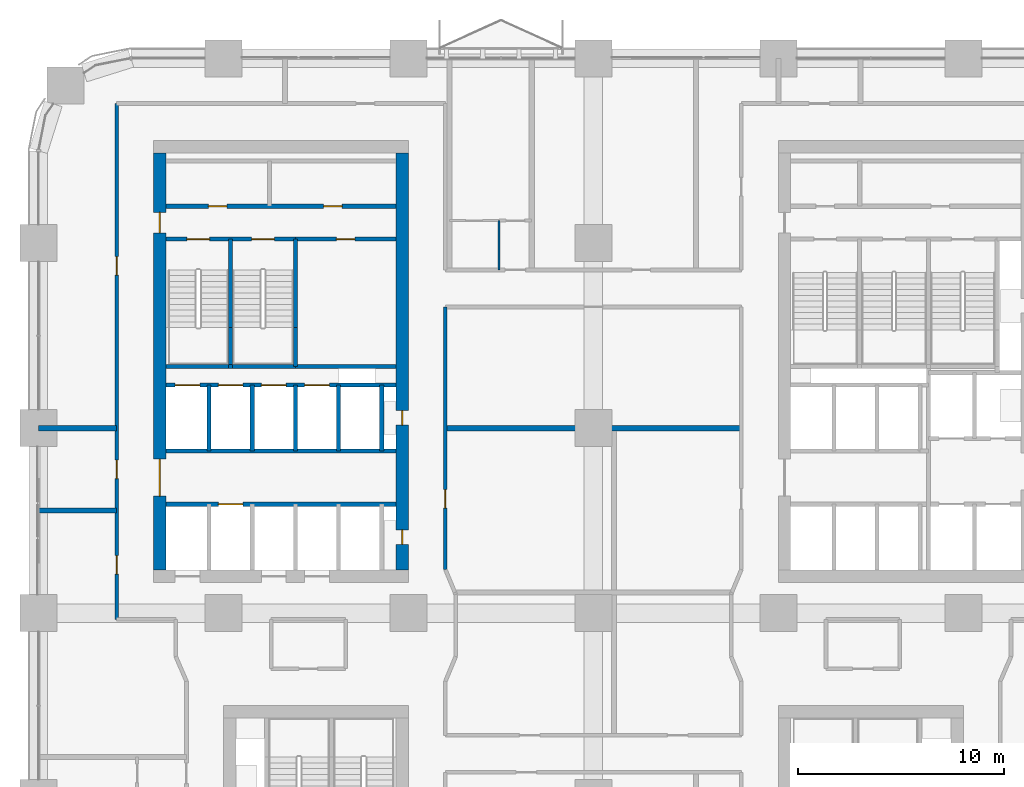
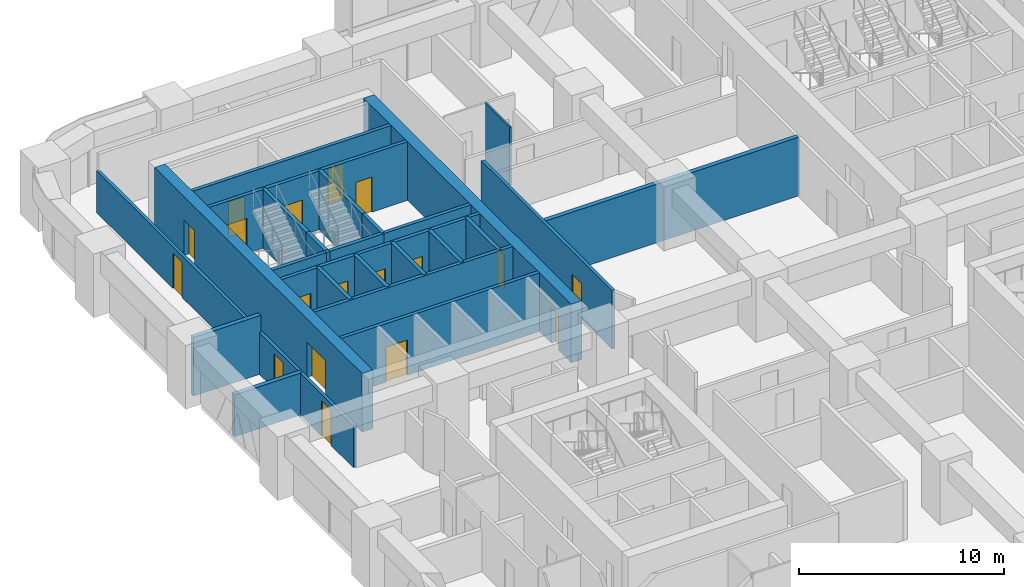
# One storey, part 17 of 23: 27 walls, 18 doors, 18 openings.
"""IFC4 building model written with IfcOpenShell, lengths in metres."""

from ifc_helpers import new_model, si_unit, direction, frame, frame_2d, origin, place, context, subcontext, project, spatial, rectangle, extrude, material, layer, layer_set, type_object, element, fill, save


model = new_model("IFC4")

# Units and contexts
model_context = context("Model", 3, precision=1e-05, world=origin(), true_north=direction((0.0, 1.0)))
body_context = subcontext(model_context, "Body", "Model", "MODEL_VIEW")
ifc_project = project(units=[si_unit("LENGTHUNIT", "METRE"), si_unit("AREAUNIT", "SQUARE_METRE"), si_unit("VOLUMEUNIT", "CUBIC_METRE"), si_unit("PLANEANGLEUNIT", "RADIAN"), si_unit("MASSUNIT", "GRAM", prefix="KILO")], contexts=[model_context])

# Site, building, storey
site_placement = place(None, origin())
site = spatial("IfcSite", under=ifc_project, at=site_placement, CompositionType="ELEMENT")
building_placement = place(site_placement, origin())
building = spatial("IfcBuilding", under=site, at=building_placement, Name="Tessera Arch", CompositionType="ELEMENT")
storey_placement = place(building_placement, frame((0.0, 0.0, 34.800048828125)))
storey = spatial("IfcBuildingStorey", under=building, at=storey_placement, Name="L06", CompositionType="ELEMENT", Elevation=34.800048828125)

# Wall, opening, door
ifc_material_1 = material(Name="Gypsum board on steel stud", Category="steel")
ifc_layer_1 = layer(ifc_material_1, 0.125)
ifc_layer_set_1 = layer_set([ifc_layer_1], Name="Core partition 125 EI 60")
wall_type_1 = type_object("IfcWallType", Name="Core partition 125 EI 60", PredefinedType="PARTITIONING", material=ifc_layer_set_1)
wall_1_placement = place(storey_placement, frame((12.5, 45.199951171875, 0.0), z_axis=(0.0, 0.0, 1.0), x_axis=(1.0, 0.0, 0.0)))
wall_1 = element("IfcWall", 1, at=wall_1_placement, inside=storey, type_object=wall_type_1, Name="L06 C2 partition wall 23", PredefinedType="PARTITIONING", context=body_context, shape_type="SweptSolid", body=[
    extrude(rectangle(XDim=4.89990234375, YDim=0.199951171875, at=frame_2d((2.449951171875, 0.0))), origin(), (0.0, 0.0, 1.0), 3.5),
])
opening_1_placement = place(wall_1_placement, frame((2.0, 0.0, 0.0)))
opening_1 = element("IfcOpeningElement", 2, at=opening_1_placement, cuts=wall_1, Name="Opening L06-C30", PredefinedType="OPENING", context=body_context, shape_type="SweptSolid", body=[
    extrude(rectangle(XDim=0.89990234375, YDim=2.10009765625, at=frame_2d((0.449951171875, 1.050048828125))), frame((0.0, 0.10986328125, 0.0), z_axis=(0.0, -1.0, 0.0), x_axis=(1.0, 0.0, 0.0)), (0.0, 0.0, 1.0), 0.219970703125),
])
ifc_material_2 = material(Name="Steel door leaf", Category="steel")
door_type_1 = type_object("IfcDoorType", Name="Store door FD30S 900 x 2100", OperationType="SINGLE_SWING_LEFT", PredefinedType="DOOR", material=ifc_material_2)
door_1_placement = place(opening_1_placement, origin())
door_1 = element("IfcDoor", 3, at=door_1_placement, inside=storey, type_object=door_type_1, Name="L06 C2 door 17 C30 type D09", OperationType="SINGLE_SWING_RIGHT", OverallHeight=2.10009765625, OverallWidth=0.89990234375, PredefinedType="DOOR", context=body_context, shape_type="SweptSolid", body=[
    extrude(rectangle(XDim=0.89990234375, YDim=2.10009765625, at=frame_2d((0.449951171875, 1.050048828125))), frame((0.0, 0.02490234375, 0.0), z_axis=(0.0, -1.0, 0.0), x_axis=(1.0, 0.0, 0.0)), (0.0, 0.0, 1.0), 0.050048828125),
])
fill(opening_1, door_1)

# Wall, openings, doors
wall_2_placement = place(storey_placement, frame((6.199951171875, 46.800048828125, 0.0), z_axis=(0.0, 0.0, 1.0), x_axis=(1.0, 0.0, 0.0)))
wall_2 = element("IfcWall", 4, at=wall_2_placement, inside=storey, type_object=wall_type_1, Name="L06 C2 partition wall 25", PredefinedType="PARTITIONING", context=body_context, shape_type="SweptSolid", body=[
    extrude(rectangle(XDim=11.199951171875, YDim=0.199951171875, at=frame_2d((5.60009765625, 0.0))), origin(), (0.0, 0.0, 1.0), 3.5),
])
opening_2_placement = place(wall_2_placement, frame((2.070068359375, 0.0, 0.0)))
opening_2 = element("IfcOpeningElement", 5, at=opening_2_placement, cuts=wall_2, Name="Opening L06-C28", PredefinedType="OPENING", context=body_context, shape_type="SweptSolid", body=[
    extrude(rectangle(XDim=0.89990234375, YDim=2.10009765625, at=frame_2d((0.449951171875, 1.050048828125))), frame((0.0, 0.10986328125, 0.0), z_axis=(0.0, -1.0, 0.0), x_axis=(1.0, 0.0, 0.0)), (0.0, 0.0, 1.0), 0.219970703125),
])
opening_3_placement = place(wall_2_placement, frame((7.669921875, 0.0, 0.0)))
opening_3 = element("IfcOpeningElement", 6, at=opening_3_placement, cuts=wall_2, Name="Opening L06-C29", PredefinedType="OPENING", context=body_context, shape_type="SweptSolid", body=[
    extrude(rectangle(XDim=0.89990234375, YDim=2.10009765625, at=frame_2d((0.449951171875, 1.050048828125))), frame((0.0, 0.10986328125, 0.0), z_axis=(0.0, -1.0, 0.0), x_axis=(1.0, 0.0, 0.0)), (0.0, 0.0, 1.0), 0.219970703125),
])
door_2_placement = place(opening_2_placement, origin())
door_2 = element("IfcDoor", 7, at=door_2_placement, inside=storey, type_object=door_type_1, Name="L06 C2 door 15 C28 type D09", OperationType="SINGLE_SWING_LEFT", OverallHeight=2.10009765625, OverallWidth=0.89990234375, PredefinedType="DOOR", context=body_context, shape_type="SweptSolid", body=[
    extrude(rectangle(XDim=0.89990234375, YDim=2.10009765625, at=frame_2d((0.449951171875, 1.050048828125))), frame((0.0, 0.02490234375, 0.0), z_axis=(0.0, -1.0, 0.0), x_axis=(1.0, 0.0, 0.0)), (0.0, 0.0, 1.0), 0.050048828125),
])
fill(opening_2, door_2)
door_3_placement = place(opening_3_placement, origin())
door_3 = element("IfcDoor", 8, at=door_3_placement, inside=storey, type_object=door_type_1, Name="L06 C2 door 16 C29 type D09", OperationType="SINGLE_SWING_RIGHT", OverallHeight=2.10009765625, OverallWidth=0.89990234375, PredefinedType="DOOR", context=body_context, shape_type="SweptSolid", body=[
    extrude(rectangle(XDim=0.89990234375, YDim=2.10009765625, at=frame_2d((0.449951171875, 1.050048828125))), frame((0.0, 0.02490234375, 0.0), z_axis=(0.0, -1.0, 0.0), x_axis=(1.0, 0.0, 0.0)), (0.0, 0.0, 1.0), 0.050048828125),
])
fill(opening_3, door_3)

ifc_material_3 = material(Name="Concrete C70/85", Category="concrete")
ifc_layer_2 = layer(ifc_material_3, 0.60009765625)
ifc_layer_set_2 = layer_set([ifc_layer_2], Name="Core shell wall 600 C70-85")
wall_type_2 = type_object("IfcWallType", Name="Core shell wall 600 C70-85", PredefinedType="SHEAR", material=ifc_layer_set_2)
wall_3_placement = place(storey_placement, frame((5.89990234375, 29.10009765625, 0.0), z_axis=(0.0, 0.0, 1.0), x_axis=(0.0, 1.0, 0.0)))
wall_3 = element("IfcWall", 9, at=wall_3_placement, inside=storey, type_object=wall_type_2, Name="L06 C2 core wall W", PredefinedType="SHEAR", context=body_context, shape_type="SweptSolid", body=[
    extrude(rectangle(XDim=20.2998046875, YDim=0.60009765625, at=frame_2d((10.14990234375, 0.0))), origin(), (0.0, 0.0, 1.0), 3.5),
])
opening_4_placement = place(wall_3_placement, frame((3.60009765625, 0.0, 0.0)))
opening_4 = element("IfcOpeningElement", 10, at=opening_4_placement, cuts=wall_3, Name="Opening L06-C24", PredefinedType="OPENING", context=body_context, shape_type="SweptSolid", body=[
    extrude(rectangle(XDim=1.800048828125, YDim=2.10009765625, at=frame_2d((0.89990234375, 1.050048828125))), frame((0.0, 0.31005859375, 0.0), z_axis=(0.0, -1.0, 0.0), x_axis=(1.0, 0.0, 0.0)), (0.0, 0.0, 1.0), 0.6201171875),
])
opening_5_placement = place(wall_3_placement, frame((16.39990234375, 0.0, 0.0)))
opening_5 = element("IfcOpeningElement", 11, at=opening_5_placement, cuts=wall_3, Name="Opening L06-C27", PredefinedType="OPENING", context=body_context, shape_type="SweptSolid", body=[
    extrude(rectangle(XDim=1.0, YDim=2.10009765625, at=frame_2d((0.5, 1.050048828125))), frame((0.0, 0.31005859375, 0.0), z_axis=(0.0, -1.0, 0.0), x_axis=(1.0, 0.0, 0.0)), (0.0, 0.0, 1.0), 0.6201171875),
])
ifc_material_4 = material(Name="Steel door leaf", Category="steel")
door_type_2 = type_object("IfcDoorType", Name="Corridor door FD60 1000 x 2100", OperationType="SINGLE_SWING_LEFT", PredefinedType="DOOR", material=ifc_material_4)
door_4_placement = place(opening_5_placement, origin())
door_4 = element("IfcDoor", 12, at=door_4_placement, inside=storey, type_object=door_type_2, Name="L06 C2 door 14 C27 type D12", OperationType="SINGLE_SWING_RIGHT", OverallHeight=2.10009765625, OverallWidth=1.0, PredefinedType="DOOR", context=body_context, shape_type="SweptSolid", body=[
    extrude(rectangle(XDim=1.0, YDim=2.10009765625, at=frame_2d((0.5, 1.050048828125))), frame((0.0, 0.02490234375, 0.0), z_axis=(0.0, -1.0, 0.0), x_axis=(1.0, 0.0, 0.0)), (0.0, 0.0, 1.0), 0.050048828125),
])
fill(opening_5, door_4)
ifc_material_5 = material(Name="Glazed steel door leaf", Category="steel")
door_type_3 = type_object("IfcDoorType", Name="Lobby double door FD30S 1800 x 2100", OperationType="DOUBLE_DOOR_SINGLE_SWING", PredefinedType="DOOR", material=ifc_material_5)
door_5_placement = place(opening_4_placement, origin())
door_5 = element("IfcDoor", 13, at=door_5_placement, inside=storey, type_object=door_type_3, Name="L06 C2 door 11 C24 type D06", OperationType="DOUBLE_DOOR_SINGLE_SWING", OverallHeight=2.10009765625, OverallWidth=1.800048828125, PredefinedType="DOOR", context=body_context, shape_type="SweptSolid", body=[
    extrude(rectangle(XDim=1.800048828125, YDim=2.10009765625, at=frame_2d((0.89990234375, 1.050048828125))), frame((0.0, 0.02490234375, 0.0), z_axis=(0.0, -1.0, 0.0), x_axis=(1.0, 0.0, 0.0)), (0.0, 0.0, 1.0), 0.050048828125),
])
fill(opening_4, door_5)

wall_4_placement = place(storey_placement, frame((17.699951171875, 29.10009765625, 0.0), z_axis=(0.0, 0.0, 1.0), x_axis=(0.0, 1.0, 0.0)))
wall_4 = element("IfcWall", 14, at=wall_4_placement, inside=storey, type_object=wall_type_2, Name="L06 C2 core wall E", PredefinedType="SHEAR", context=body_context, shape_type="SweptSolid", body=[
    extrude(rectangle(XDim=20.2998046875, YDim=0.60009765625, at=frame_2d((10.14990234375, 0.0))), origin(), (0.0, 0.0, 1.0), 3.5),
])
opening_6_placement = place(wall_4_placement, frame((1.25, 0.0, 0.0)))
opening_6 = element("IfcOpeningElement", 15, at=opening_6_placement, cuts=wall_4, Name="Opening L06-C22", PredefinedType="OPENING", context=body_context, shape_type="SweptSolid", body=[
    extrude(rectangle(XDim=0.699951171875, YDim=2.10009765625, at=frame_2d((0.35009765625, 1.050048828125))), frame((0.0, 0.31005859375, 0.0), z_axis=(0.0, -1.0, 0.0), x_axis=(1.0, 0.0, 0.0)), (0.0, 0.0, 1.0), 0.6201171875),
])
opening_7_placement = place(wall_4_placement, frame((7.050048828125, 0.0, 0.0)))
opening_7 = element("IfcOpeningElement", 16, at=opening_7_placement, cuts=wall_4, Name="Opening L06-C23", PredefinedType="OPENING", context=body_context, shape_type="SweptSolid", body=[
    extrude(rectangle(XDim=0.699951171875, YDim=2.10009765625, at=frame_2d((0.35009765625, 1.050048828125))), frame((0.0, 0.31005859375, 0.0), z_axis=(0.0, -1.0, 0.0), x_axis=(1.0, 0.0, 0.0)), (0.0, 0.0, 1.0), 0.6201171875),
])
ifc_material_6 = material(Name="Steel door leaf", Category="steel")
door_type_4 = type_object("IfcDoorType", Name="Service shaft door FD60 700 x 2100", OperationType="SINGLE_SWING_LEFT", PredefinedType="DOOR", material=ifc_material_6)
door_6_placement = place(opening_6_placement, origin())
door_6 = element("IfcDoor", 17, at=door_6_placement, inside=storey, type_object=door_type_4, Name="L06 C2 door 9 C22 type D07", OperationType="SINGLE_SWING_LEFT", OverallHeight=2.10009765625, OverallWidth=0.699951171875, PredefinedType="DOOR", context=body_context, shape_type="SweptSolid", body=[
    extrude(rectangle(XDim=0.699951171875, YDim=2.10009765625, at=frame_2d((0.35009765625, 1.050048828125))), frame((0.0, 0.02490234375, 0.0), z_axis=(0.0, -1.0, 0.0), x_axis=(1.0, 0.0, 0.0)), (0.0, 0.0, 1.0), 0.050048828125),
])
fill(opening_6, door_6)
door_7_placement = place(opening_7_placement, origin())
door_7 = element("IfcDoor", 18, at=door_7_placement, inside=storey, type_object=door_type_4, Name="L06 C2 door 10 C23 type D07", OperationType="SINGLE_SWING_LEFT", OverallHeight=2.10009765625, OverallWidth=0.699951171875, PredefinedType="DOOR", context=body_context, shape_type="SweptSolid", body=[
    extrude(rectangle(XDim=0.699951171875, YDim=2.10009765625, at=frame_2d((0.35009765625, 1.050048828125))), frame((0.0, 0.02490234375, 0.0), z_axis=(0.0, -1.0, 0.0), x_axis=(1.0, 0.0, 0.0)), (0.0, 0.0, 1.0), 0.050048828125),
])
fill(opening_7, door_7)

ifc_material_7 = material(Name="Gypsum board on deep steel stud with mineral wool", Category="steel")
ifc_layer_3 = layer(ifc_material_7, 0.175048828125)
ifc_layer_set_3 = layer_set([ifc_layer_3], Name="Corridor wall 175 EI 60")
wall_type_3 = type_object("IfcWallType", Name="Corridor wall 175 EI 60", PredefinedType="PARTITIONING", material=ifc_layer_set_3)
wall_5_placement = place(storey_placement, frame((3.800048828125, 26.699951171875, 0.0), z_axis=(0.0, 0.0, 1.0), x_axis=(0.0, 1.0, 0.0)))
wall_5 = element("IfcWall", 19, at=wall_5_placement, inside=storey, type_object=wall_type_3, Name="L06 partition 15", PredefinedType="PARTITIONING", context=body_context, shape_type="SweptSolid", body=[
    extrude(rectangle(XDim=25.10009765625, YDim=0.175048828125, at=frame_2d((12.550048828125, 0.0))), origin(), (0.0, 0.0, 1.0), 2.5),
])
opening_8_placement = place(wall_5_placement, frame((2.199951171875, 0.0, 0.0)))
opening_8 = element("IfcOpeningElement", 20, at=opening_8_placement, cuts=wall_5, Name="Opening L06-D025", PredefinedType="OPENING", context=body_context, shape_type="SweptSolid", body=[
    extrude(rectangle(XDim=0.89990234375, YDim=2.10009765625, at=frame_2d((0.449951171875, 1.050048828125))), frame((0.0, 0.097412109375, 0.0), z_axis=(0.0, -1.0, 0.0), x_axis=(1.0, 0.0, 0.0)), (0.0, 0.0, 1.0), 0.195068359375),
])
opening_9_placement = place(wall_5_placement, frame((6.85009765625, 0.0, 0.0)))
opening_9 = element("IfcOpeningElement", 21, at=opening_9_placement, cuts=wall_5, Name="Opening L06-D031", PredefinedType="OPENING", context=body_context, shape_type="SweptSolid", body=[
    extrude(rectangle(XDim=0.89990234375, YDim=2.10009765625, at=frame_2d((0.449951171875, 1.050048828125))), frame((0.0, 0.097412109375, 0.0), z_axis=(0.0, -1.0, 0.0), x_axis=(1.0, 0.0, 0.0)), (0.0, 0.0, 1.0), 0.195068359375),
])
opening_10_placement = place(wall_5_placement, frame((16.75, 0.0, 0.0)))
opening_10 = element("IfcOpeningElement", 22, at=opening_10_placement, cuts=wall_5, Name="Opening L06-D034", PredefinedType="OPENING", context=body_context, shape_type="SweptSolid", body=[
    extrude(rectangle(XDim=0.89990234375, YDim=2.10009765625, at=frame_2d((0.449951171875, 1.050048828125))), frame((0.0, 0.097412109375, 0.0), z_axis=(0.0, -1.0, 0.0), x_axis=(1.0, 0.0, 0.0)), (0.0, 0.0, 1.0), 0.195068359375),
])
ifc_material_8 = material(Name="Timber door leaf", Category="wood")
door_type_5 = type_object("IfcDoorType", Name="Room door 900 x 2100", OperationType="SINGLE_SWING_LEFT", PredefinedType="DOOR", material=ifc_material_8)
door_8_placement = place(opening_8_placement, origin())
door_8 = element("IfcDoor", 23, at=door_8_placement, inside=storey, type_object=door_type_5, Name="L06 door D025 type D01", OperationType="SINGLE_SWING_RIGHT", OverallHeight=2.10009765625, OverallWidth=0.89990234375, PredefinedType="DOOR", context=body_context, shape_type="SweptSolid", body=[
    extrude(rectangle(XDim=0.89990234375, YDim=2.10009765625, at=frame_2d((0.449951171875, 1.050048828125))), frame((0.0, 0.02490234375, 0.0), z_axis=(0.0, -1.0, 0.0), x_axis=(1.0, 0.0, 0.0)), (0.0, 0.0, 1.0), 0.050048828125),
])
fill(opening_8, door_8)
door_9_placement = place(opening_9_placement, origin())
door_9 = element("IfcDoor", 24, at=door_9_placement, inside=storey, type_object=door_type_5, Name="L06 door D031 type D01", OperationType="SINGLE_SWING_RIGHT", OverallHeight=2.10009765625, OverallWidth=0.89990234375, PredefinedType="DOOR", context=body_context, shape_type="SweptSolid", body=[
    extrude(rectangle(XDim=0.89990234375, YDim=2.10009765625, at=frame_2d((0.449951171875, 1.050048828125))), frame((0.0, 0.02490234375, 0.0), z_axis=(0.0, -1.0, 0.0), x_axis=(1.0, 0.0, 0.0)), (0.0, 0.0, 1.0), 0.050048828125),
])
fill(opening_9, door_9)
door_10_placement = place(opening_10_placement, origin())
door_10 = element("IfcDoor", 25, at=door_10_placement, inside=storey, type_object=door_type_5, Name="L06 door D034 type D01", OperationType="SINGLE_SWING_LEFT", OverallHeight=2.10009765625, OverallWidth=0.89990234375, PredefinedType="DOOR", context=body_context, shape_type="SweptSolid", body=[
    extrude(rectangle(XDim=0.89990234375, YDim=2.10009765625, at=frame_2d((0.449951171875, 1.050048828125))), frame((0.0, 0.02490234375, 0.0), z_axis=(0.0, -1.0, 0.0), x_axis=(1.0, 0.0, 0.0)), (0.0, 0.0, 1.0), 0.050048828125),
])
fill(opening_10, door_10)

# Wall, opening, door
wall_6_placement = place(storey_placement, frame((19.800048828125, 29.1201171875, 0.0), z_axis=(0.0, 0.0, 1.0), x_axis=(0.0, 1.0, 0.0)))
wall_6 = element("IfcWall", 26, at=wall_6_placement, inside=storey, type_object=wall_type_3, Name="L06 partition 22", PredefinedType="PARTITIONING", context=body_context, shape_type="SweptSolid", body=[
    extrude(rectangle(XDim=12.77978515625, YDim=0.175048828125, at=frame_2d((6.389892578125, 0.0))), origin(), (0.0, 0.0, 1.0), 3.5),
])
opening_11_placement = place(wall_6_placement, frame((2.989990234375, 0.0, 0.0)))
opening_11 = element("IfcOpeningElement", 27, at=opening_11_placement, cuts=wall_6, Name="Opening L06-D029", PredefinedType="OPENING", context=body_context, shape_type="SweptSolid", body=[
    extrude(rectangle(XDim=0.89990234375, YDim=2.10009765625, at=frame_2d((0.449951171875, 1.050048828125))), frame((0.0, 0.097412109375, 0.0), z_axis=(0.0, -1.0, 0.0), x_axis=(1.0, 0.0, 0.0)), (0.0, 0.0, 1.0), 0.195068359375),
])
door_11_placement = place(opening_11_placement, origin())
door_11 = element("IfcDoor", 28, at=door_11_placement, inside=storey, type_object=door_type_5, Name="L06 door D029 type D01", OperationType="SINGLE_SWING_LEFT", OverallHeight=2.10009765625, OverallWidth=0.89990234375, PredefinedType="DOOR", context=body_context, shape_type="SweptSolid", body=[
    extrude(rectangle(XDim=0.89990234375, YDim=2.10009765625, at=frame_2d((0.449951171875, 1.050048828125))), frame((0.0, 0.02490234375, 0.0), z_axis=(0.0, -1.0, 0.0), x_axis=(1.0, 0.0, 0.0)), (0.0, 0.0, 1.0), 0.050048828125),
])
fill(opening_11, door_11)

# Walls
ifc_material_9 = material(Name="Double gypsum board on twin steel stud with acoustic mineral wool", Category="steel")
ifc_layer_4 = layer(ifc_material_9, 0.25)
ifc_layer_set_4 = layer_set([ifc_layer_4], Name="Party wall 250 EI 60")
wall_type_4 = type_object("IfcWallType", Name="Party wall 250 EI 60", PredefinedType="PARTITIONING", material=ifc_layer_set_4)
wall_7_placement = place(storey_placement, frame((0.0, 32.0, 0.0), z_axis=(0.0, 0.0, 1.0), x_axis=(1.0, 0.0, 0.0)))
element("IfcWall", 29, at=wall_7_placement, inside=storey, type_object=wall_type_4, Name="L06 partition 51", PredefinedType="PARTITIONING", context=body_context, shape_type="SweptSolid", body=[
    extrude(rectangle(XDim=3.800048828125, YDim=0.25, at=frame_2d((1.89990234375, 0.0))), origin(), (0.0, 0.0, 1.0), 2.5),
])
wall_8_placement = place(storey_placement, frame((0.0, 36.0, 0.0), z_axis=(0.0, 0.0, 1.0), x_axis=(1.0, 0.0, 0.0)))
element("IfcWall", 30, at=wall_8_placement, inside=storey, type_object=wall_type_4, Name="L06 partition 53", PredefinedType="PARTITIONING", context=body_context, shape_type="SweptSolid", body=[
    extrude(rectangle(XDim=3.800048828125, YDim=0.25, at=frame_2d((1.89990234375, 0.0))), origin(), (0.0, 0.0, 1.0), 3.5),
])
wall_9_placement = place(storey_placement, frame((19.800048828125, 36.0, 0.0), z_axis=(0.0, 0.0, 1.0), x_axis=(1.0, 0.0, 0.0)))
element("IfcWall", 31, at=wall_9_placement, inside=storey, type_object=wall_type_4, Name="L06 partition 54", PredefinedType="PARTITIONING", context=body_context, shape_type="SweptSolid", body=[
    extrude(rectangle(XDim=14.39990234375, YDim=0.25, at=frame_2d((7.199951171875, 0.0))), origin(), (0.0, 0.0, 1.0), 3.5),
])
ifc_material_10 = material(Name="Concrete C40/50", Category="concrete")
ifc_layer_5 = layer(ifc_material_10, 0.199951171875)
ifc_layer_set_5 = layer_set([ifc_layer_5], Name="Shaft wall 200 EI 120")
wall_type_5 = type_object("IfcWallType", Name="Shaft wall 200 EI 120", PredefinedType="SOLIDWALL", material=ifc_layer_set_5)
for number, where, z_axis, x_axis, name in (
    (32, (8.300048828125, 34.89990234375, 0.0), (0.0, 0.0, 1.0), (0.0, 1.0, 0.0), "L06 C2 shaft wall 2"),
    (33, (10.39990234375, 34.89990234375, 0.0), (0.0, 0.0, 1.0), (0.0, 1.0, 0.0), "L06 C2 shaft wall 6"),
    (34, (12.5, 34.89990234375, 0.0), (0.0, 0.0, 1.0), (0.0, 1.0, 0.0), "L06 C2 shaft wall 9"),
    (35, (14.60009765625, 34.89990234375, 0.0), (0.0, 0.0, 1.0), (0.0, 1.0, 0.0), "L06 C2 shaft wall 13"),
    (36, (16.699951171875, 34.89990234375, 0.0), (0.0, 0.0, 1.0), (0.0, 1.0, 0.0), "L06 C2 shaft wall 15"),
):
    element("IfcWall", number, at=place(storey_placement, frame(where, z_axis=z_axis, x_axis=x_axis)), inside=storey, type_object=wall_type_5, Name=name, PredefinedType="SOLIDWALL", context=body_context, shape_type="SweptSolid", body=[
        extrude(rectangle(XDim=3.2001953125, YDim=0.199951171875, at=frame_2d((1.60009765625, 0.0))), origin(), (0.0, 0.0, 1.0), 3.5),
    ])

# Wall, opening, door
wall_10_placement = place(storey_placement, frame((6.199951171875, 32.300048828125, 0.0), z_axis=(0.0, 0.0, 1.0), x_axis=(1.0, 0.0, 0.0)))
wall_10 = element("IfcWall", 37, at=wall_10_placement, inside=storey, type_object=wall_type_5, Name="L06 C2 shaft wall 16", PredefinedType="SOLIDWALL", context=body_context, shape_type="SweptSolid", body=[
    extrude(rectangle(XDim=11.199951171875, YDim=0.199951171875, at=frame_2d((5.60009765625, 0.0))), origin(), (0.0, 0.0, 1.0), 3.5),
])
opening_12_placement = place(wall_10_placement, frame((2.550048828125, 0.0, 0.0)))
opening_12 = element("IfcOpeningElement", 38, at=opening_12_placement, cuts=wall_10, Name="Opening L06-C15", PredefinedType="OPENING", context=body_context, shape_type="SweptSolid", body=[
    extrude(rectangle(XDim=1.199951171875, YDim=2.10009765625, at=frame_2d((0.60009765625, 1.050048828125))), frame((0.0, 0.10986328125, 0.0), z_axis=(0.0, -1.0, 0.0), x_axis=(1.0, 0.0, 0.0)), (0.0, 0.0, 1.0), 0.219970703125),
])
ifc_material_11 = material(Name="Stainless steel AISI 304", Category="steel")
door_type_6 = type_object("IfcDoorType", Name="Sliding landing door 1200 x 2100", OperationType="SLIDING_TO_LEFT", PredefinedType="DOOR", material=ifc_material_11)
door_12_placement = place(opening_12_placement, origin())
door_12 = element("IfcDoor", 39, at=door_12_placement, inside=storey, type_object=door_type_6, Name="L06 LR2 lift landing door C15 type LD", OperationType="SLIDING_TO_LEFT", OverallHeight=2.10009765625, OverallWidth=1.199951171875, PredefinedType="DOOR", context=body_context, shape_type="SweptSolid", body=[
    extrude(rectangle(XDim=1.199951171875, YDim=2.10009765625, at=frame_2d((0.60009765625, 1.050048828125))), frame((0.0, 0.02490234375, 0.0), z_axis=(0.0, -1.0, 0.0), x_axis=(1.0, 0.0, 0.0)), (0.0, 0.0, 1.0), 0.050048828125),
])
fill(opening_12, door_12)

# Wall
wall_11_placement = place(storey_placement, frame((6.199951171875, 34.89990234375, 0.0), z_axis=(0.0, 0.0, 1.0), x_axis=(1.0, 0.0, 0.0)))
element("IfcWall", 40, at=wall_11_placement, inside=storey, type_object=wall_type_5, Name="L06 C2 shaft wall 17", PredefinedType="SOLIDWALL", context=body_context, shape_type="SweptSolid", body=[
    extrude(rectangle(XDim=11.199951171875, YDim=0.199951171875, at=frame_2d((5.60009765625, 0.0))), origin(), (0.0, 0.0, 1.0), 3.5),
])

# Wall, openings, doors
wall_12_placement = place(storey_placement, frame((6.199951171875, 38.10009765625, 0.0), z_axis=(0.0, 0.0, 1.0), x_axis=(1.0, 0.0, 0.0)))
wall_12 = element("IfcWall", 41, at=wall_12_placement, inside=storey, type_object=wall_type_5, Name="L06 C2 shaft wall 18", PredefinedType="SOLIDWALL", context=body_context, shape_type="SweptSolid", body=[
    extrude(rectangle(XDim=11.199951171875, YDim=0.199951171875, at=frame_2d((5.60009765625, 0.0))), origin(), (0.0, 0.0, 1.0), 3.5),
])
opening_13_placement = place(wall_12_placement, frame((0.449951171875, 0.0, 0.0)))
opening_13 = element("IfcOpeningElement", 42, at=opening_13_placement, cuts=wall_12, Name="Opening L06-C18", PredefinedType="OPENING", context=body_context, shape_type="SweptSolid", body=[
    extrude(rectangle(XDim=1.199951171875, YDim=2.10009765625, at=frame_2d((0.60009765625, 1.050048828125))), frame((0.0, 0.10986328125, 0.0), z_axis=(0.0, -1.0, 0.0), x_axis=(1.0, 0.0, 0.0)), (0.0, 0.0, 1.0), 0.219970703125),
])
opening_14_placement = place(wall_12_placement, frame((2.550048828125, 0.0, 0.0)))
opening_14 = element("IfcOpeningElement", 43, at=opening_14_placement, cuts=wall_12, Name="Opening L06-C19", PredefinedType="OPENING", context=body_context, shape_type="SweptSolid", body=[
    extrude(rectangle(XDim=1.199951171875, YDim=2.10009765625, at=frame_2d((0.60009765625, 1.050048828125))), frame((0.0, 0.10986328125, 0.0), z_axis=(0.0, -1.0, 0.0), x_axis=(1.0, 0.0, 0.0)), (0.0, 0.0, 1.0), 0.219970703125),
])
opening_15_placement = place(wall_12_placement, frame((4.64990234375, 0.0, 0.0)))
opening_15 = element("IfcOpeningElement", 44, at=opening_15_placement, cuts=wall_12, Name="Opening L06-C20", PredefinedType="OPENING", context=body_context, shape_type="SweptSolid", body=[
    extrude(rectangle(XDim=1.199951171875, YDim=2.10009765625, at=frame_2d((0.60009765625, 1.050048828125))), frame((0.0, 0.10986328125, 0.0), z_axis=(0.0, -1.0, 0.0), x_axis=(1.0, 0.0, 0.0)), (0.0, 0.0, 1.0), 0.219970703125),
])
opening_16_placement = place(wall_12_placement, frame((6.75, 0.0, 0.0)))
opening_16 = element("IfcOpeningElement", 45, at=opening_16_placement, cuts=wall_12, Name="Opening L06-C21", PredefinedType="OPENING", context=body_context, shape_type="SweptSolid", body=[
    extrude(rectangle(XDim=1.199951171875, YDim=2.10009765625, at=frame_2d((0.60009765625, 1.050048828125))), frame((0.0, 0.10986328125, 0.0), z_axis=(0.0, -1.0, 0.0), x_axis=(1.0, 0.0, 0.0)), (0.0, 0.0, 1.0), 0.219970703125),
])
door_13_placement = place(opening_13_placement, origin())
door_13 = element("IfcDoor", 46, at=door_13_placement, inside=storey, type_object=door_type_6, Name="L06 LR5 lift landing door C18 type LD", OperationType="SLIDING_TO_LEFT", OverallHeight=2.10009765625, OverallWidth=1.199951171875, PredefinedType="DOOR", context=body_context, shape_type="SweptSolid", body=[
    extrude(rectangle(XDim=1.199951171875, YDim=2.10009765625, at=frame_2d((0.60009765625, 1.050048828125))), frame((0.0, 0.02490234375, 0.0), z_axis=(0.0, -1.0, 0.0), x_axis=(1.0, 0.0, 0.0)), (0.0, 0.0, 1.0), 0.050048828125),
])
fill(opening_13, door_13)
door_14_placement = place(opening_14_placement, origin())
door_14 = element("IfcDoor", 47, at=door_14_placement, inside=storey, type_object=door_type_6, Name="L06 LR6 lift landing door C19 type LD", OperationType="SLIDING_TO_LEFT", OverallHeight=2.10009765625, OverallWidth=1.199951171875, PredefinedType="DOOR", context=body_context, shape_type="SweptSolid", body=[
    extrude(rectangle(XDim=1.199951171875, YDim=2.10009765625, at=frame_2d((0.60009765625, 1.050048828125))), frame((0.0, 0.02490234375, 0.0), z_axis=(0.0, -1.0, 0.0), x_axis=(1.0, 0.0, 0.0)), (0.0, 0.0, 1.0), 0.050048828125),
])
fill(opening_14, door_14)
door_15_placement = place(opening_15_placement, origin())
door_15 = element("IfcDoor", 48, at=door_15_placement, inside=storey, type_object=door_type_6, Name="L06 LR7 lift landing door C20 type LD", OperationType="SLIDING_TO_LEFT", OverallHeight=2.10009765625, OverallWidth=1.199951171875, PredefinedType="DOOR", context=body_context, shape_type="SweptSolid", body=[
    extrude(rectangle(XDim=1.199951171875, YDim=2.10009765625, at=frame_2d((0.60009765625, 1.050048828125))), frame((0.0, 0.02490234375, 0.0), z_axis=(0.0, -1.0, 0.0), x_axis=(1.0, 0.0, 0.0)), (0.0, 0.0, 1.0), 0.050048828125),
])
fill(opening_15, door_15)
door_16_placement = place(opening_16_placement, origin())
door_16 = element("IfcDoor", 49, at=door_16_placement, inside=storey, type_object=door_type_6, Name="L06 LR8 lift landing door C21 type LD", OperationType="SLIDING_TO_LEFT", OverallHeight=2.10009765625, OverallWidth=1.199951171875, PredefinedType="DOOR", context=body_context, shape_type="SweptSolid", body=[
    extrude(rectangle(XDim=1.199951171875, YDim=2.10009765625, at=frame_2d((0.60009765625, 1.050048828125))), frame((0.0, 0.02490234375, 0.0), z_axis=(0.0, -1.0, 0.0), x_axis=(1.0, 0.0, 0.0)), (0.0, 0.0, 1.0), 0.050048828125),
])
fill(opening_16, door_16)

# Walls
wall_13_placement = place(storey_placement, frame((12.5, 39.0, 0.0), z_axis=(0.0, 0.0, 1.0), x_axis=(1.0, 0.0, 0.0)))
element("IfcWall", 50, at=wall_13_placement, inside=storey, type_object=wall_type_5, Name="L06 C2 shaft wall 19", PredefinedType="SOLIDWALL", context=body_context, shape_type="SweptSolid", body=[
    extrude(rectangle(XDim=4.89990234375, YDim=0.199951171875, at=frame_2d((2.449951171875, 0.0))), origin(), (0.0, 0.0, 1.0), 3.5),
])
ifc_material_12 = material(Name="Concrete C40/50", Category="concrete")
ifc_layer_6 = layer(ifc_material_12, 0.199951171875)
ifc_layer_set_6 = layer_set([ifc_layer_6], Name="Stair well wall 200 REI 180")
wall_type_6 = type_object("IfcWallType", Name="Stair well wall 200 REI 180", PredefinedType="SOLIDWALL", material=ifc_layer_set_6)
wall_14_placement = place(storey_placement, frame((9.35009765625, 39.0, 0.0), z_axis=(0.0, 0.0, 1.0), x_axis=(0.0, 1.0, 0.0)))
element("IfcWall", 51, at=wall_14_placement, inside=storey, type_object=wall_type_6, Name="L06 C2 shaft wall 3", PredefinedType="SOLIDWALL", context=body_context, shape_type="SweptSolid", body=[
    extrude(rectangle(XDim=1.89990234375, YDim=0.199951171875, at=frame_2d((0.949951171875, 0.0))), origin(), (0.0, 0.0, 1.0), 3.5),
])
wall_15_placement = place(storey_placement, frame((9.35009765625, 40.89990234375, 0.0), z_axis=(0.0, 0.0, 1.0), x_axis=(0.0, 1.0, 0.0)))
element("IfcWall", 52, at=wall_15_placement, inside=storey, type_object=wall_type_6, Name="L06 C2 shaft wall 4", PredefinedType="SOLIDWALL", context=body_context, shape_type="SweptSolid", body=[
    extrude(rectangle(XDim=4.300048828125, YDim=0.199951171875, at=frame_2d((2.14990234375, 0.0))), origin(), (0.0, 0.0, 1.0), 3.5),
])
wall_16_placement = place(storey_placement, frame((12.5, 39.0, 0.0), z_axis=(0.0, 0.0, 1.0), x_axis=(0.0, 1.0, 0.0)))
element("IfcWall", 53, at=wall_16_placement, inside=storey, type_object=wall_type_6, Name="L06 C2 shaft wall 10", PredefinedType="SOLIDWALL", context=body_context, shape_type="SweptSolid", body=[
    extrude(rectangle(XDim=1.89990234375, YDim=0.199951171875, at=frame_2d((0.949951171875, 0.0))), origin(), (0.0, 0.0, 1.0), 3.5),
])
wall_17_placement = place(storey_placement, frame((12.5, 40.89990234375, 0.0), z_axis=(0.0, 0.0, 1.0), x_axis=(0.0, 1.0, 0.0)))
element("IfcWall", 54, at=wall_17_placement, inside=storey, type_object=wall_type_6, Name="L06 C2 shaft wall 11", PredefinedType="SOLIDWALL", context=body_context, shape_type="SweptSolid", body=[
    extrude(rectangle(XDim=4.300048828125, YDim=0.199951171875, at=frame_2d((2.14990234375, 0.0))), origin(), (0.0, 0.0, 1.0), 3.5),
])
wall_18_placement = place(storey_placement, frame((6.199951171875, 39.0, 0.0), z_axis=(0.0, 0.0, 1.0), x_axis=(1.0, 0.0, 0.0)))
element("IfcWall", 55, at=wall_18_placement, inside=storey, type_object=wall_type_6, Name="L06 C2 shaft wall 20", PredefinedType="SOLIDWALL", context=body_context, shape_type="SweptSolid", body=[
    extrude(rectangle(XDim=3.050048828125, YDim=0.199951171875, at=frame_2d((1.52490234375, 0.0))), origin(), (0.0, 0.0, 1.0), 3.5),
])
wall_19_placement = place(storey_placement, frame((9.25, 39.0, 0.0), z_axis=(0.0, 0.0, 1.0), x_axis=(1.0, 0.0, 0.0)))
element("IfcWall", 56, at=wall_19_placement, inside=storey, type_object=wall_type_6, Name="L06 C2 shaft wall 21", PredefinedType="SOLIDWALL", context=body_context, shape_type="SweptSolid", body=[
    extrude(rectangle(XDim=0.199951171875, YDim=0.199951171875, at=frame_2d((0.10009765625, 0.0))), origin(), (0.0, 0.0, 1.0), 3.5),
])
wall_20_placement = place(storey_placement, frame((9.449951171875, 39.0, 0.0), z_axis=(0.0, 0.0, 1.0), x_axis=(1.0, 0.0, 0.0)))
element("IfcWall", 57, at=wall_20_placement, inside=storey, type_object=wall_type_6, Name="L06 C2 shaft wall 22", PredefinedType="SOLIDWALL", context=body_context, shape_type="SweptSolid", body=[
    extrude(rectangle(XDim=3.050048828125, YDim=0.199951171875, at=frame_2d((1.52490234375, 0.0))), origin(), (0.0, 0.0, 1.0), 3.5),
])

# Wall, openings, doors
wall_21_placement = place(storey_placement, frame((6.199951171875, 45.199951171875, 0.0), z_axis=(0.0, 0.0, 1.0), x_axis=(1.0, 0.0, 0.0)))
wall_21 = element("IfcWall", 58, at=wall_21_placement, inside=storey, type_object=wall_type_6, Name="L06 C2 shaft wall 24", PredefinedType="SOLIDWALL", context=body_context, shape_type="SweptSolid", body=[
    extrude(rectangle(XDim=6.300048828125, YDim=0.199951171875, at=frame_2d((3.14990234375, 0.0))), origin(), (0.0, 0.0, 1.0), 3.5),
])
opening_17_placement = place(wall_21_placement, frame((1.02490234375, 0.0, 0.0)))
opening_17 = element("IfcOpeningElement", 59, at=opening_17_placement, cuts=wall_21, Name="Opening L06-C25", PredefinedType="OPENING", context=body_context, shape_type="SweptSolid", body=[
    extrude(rectangle(XDim=1.10009765625, YDim=2.10009765625, at=frame_2d((0.550048828125, 1.050048828125))), frame((0.0, 0.10986328125, 0.0), z_axis=(0.0, -1.0, 0.0), x_axis=(1.0, 0.0, 0.0)), (0.0, 0.0, 1.0), 0.219970703125),
])
opening_18_placement = place(wall_21_placement, frame((4.175048828125, 0.0, 0.0)))
opening_18 = element("IfcOpeningElement", 60, at=opening_18_placement, cuts=wall_21, Name="Opening L06-C26", PredefinedType="OPENING", context=body_context, shape_type="SweptSolid", body=[
    extrude(rectangle(XDim=1.10009765625, YDim=2.10009765625, at=frame_2d((0.550048828125, 1.050048828125))), frame((0.0, 0.10986328125, 0.0), z_axis=(0.0, -1.0, 0.0), x_axis=(1.0, 0.0, 0.0)), (0.0, 0.0, 1.0), 0.219970703125),
])
ifc_material_13 = material(Name="Steel door leaf", Category="steel")
door_type_7 = type_object("IfcDoorType", Name="Stair door FD60 1100 x 2100", OperationType="SINGLE_SWING_LEFT", PredefinedType="DOOR", material=ifc_material_13)
door_17_placement = place(opening_17_placement, origin())
door_17 = element("IfcDoor", 61, at=door_17_placement, inside=storey, type_object=door_type_7, Name="L06 C2 door 12 C25 type D05", OperationType="SINGLE_SWING_LEFT", OverallHeight=2.10009765625, OverallWidth=1.10009765625, PredefinedType="DOOR", context=body_context, shape_type="SweptSolid", body=[
    extrude(rectangle(XDim=1.10009765625, YDim=2.10009765625, at=frame_2d((0.550048828125, 1.050048828125))), frame((0.0, 0.02490234375, 0.0), z_axis=(0.0, -1.0, 0.0), x_axis=(1.0, 0.0, 0.0)), (0.0, 0.0, 1.0), 0.050048828125),
])
fill(opening_17, door_17)
door_18_placement = place(opening_18_placement, origin())
door_18 = element("IfcDoor", 62, at=door_18_placement, inside=storey, type_object=door_type_7, Name="L06 C2 door 13 C26 type D05", OperationType="SINGLE_SWING_RIGHT", OverallHeight=2.10009765625, OverallWidth=1.10009765625, PredefinedType="DOOR", context=body_context, shape_type="SweptSolid", body=[
    extrude(rectangle(XDim=1.10009765625, YDim=2.10009765625, at=frame_2d((0.550048828125, 1.050048828125))), frame((0.0, 0.02490234375, 0.0), z_axis=(0.0, -1.0, 0.0), x_axis=(1.0, 0.0, 0.0)), (0.0, 0.0, 1.0), 0.050048828125),
])
fill(opening_18, door_18)

# Wall
ifc_material_14 = material(Name="Moisture-resistant board on pre-plumbed steel stud", Category="steel")
ifc_layer_7 = layer(ifc_material_14, 0.10009765625)
ifc_layer_set_7 = layer_set([ifc_layer_7], Name="Wet wall 100")
wall_type_7 = type_object("IfcWallType", Name="Wet wall 100", PredefinedType="PARTITIONING", material=ifc_layer_set_7)
wall_22_placement = place(storey_placement, frame((22.39990234375, 43.699951171875, 0.0), z_axis=(0.0, 0.0, 1.0), x_axis=(0.0, 1.0, 0.0)))
element("IfcWall", 63, at=wall_22_placement, inside=storey, type_object=wall_type_7, Name="L06 partition 78", PredefinedType="PARTITIONING", context=body_context, shape_type="SweptSolid", body=[
    extrude(rectangle(XDim=2.400146484375, YDim=0.10009765625, at=frame_2d((1.2001953125, 0.0))), origin(), (0.0, 0.0, 1.0), 3.5),
])

save(model, "model.ifc")
